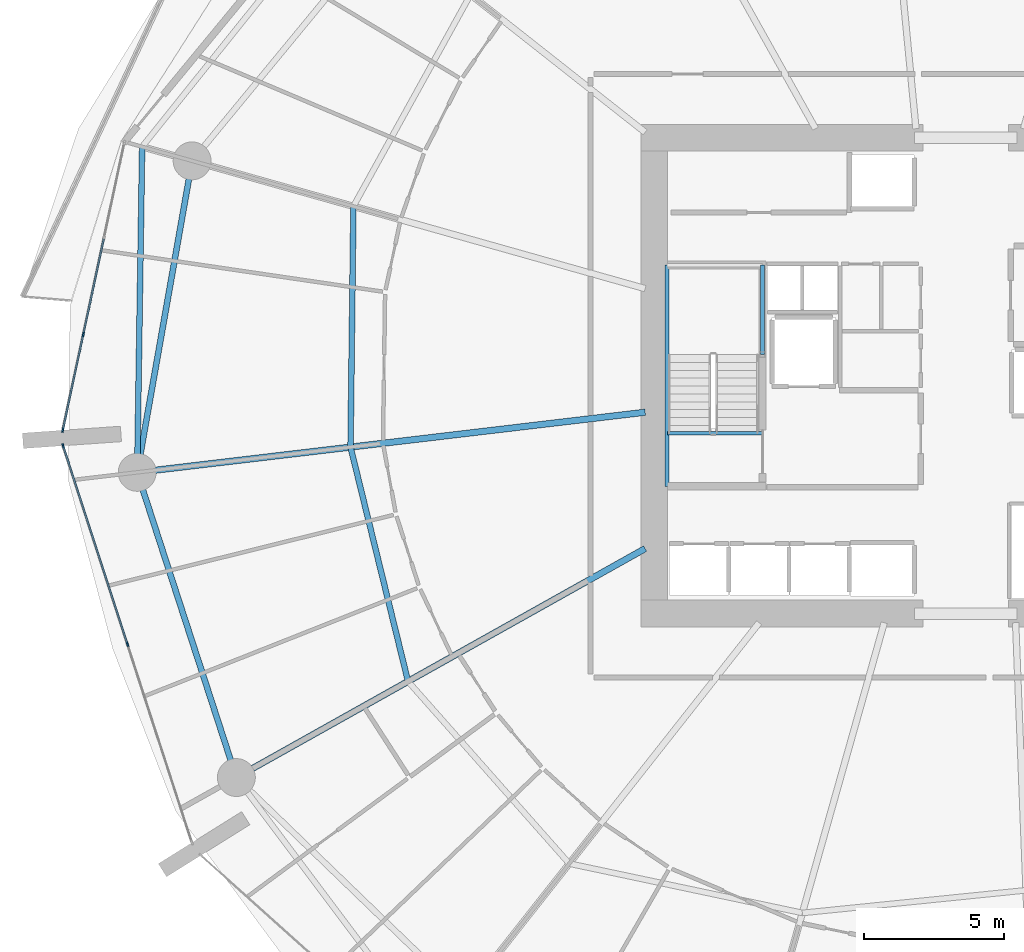
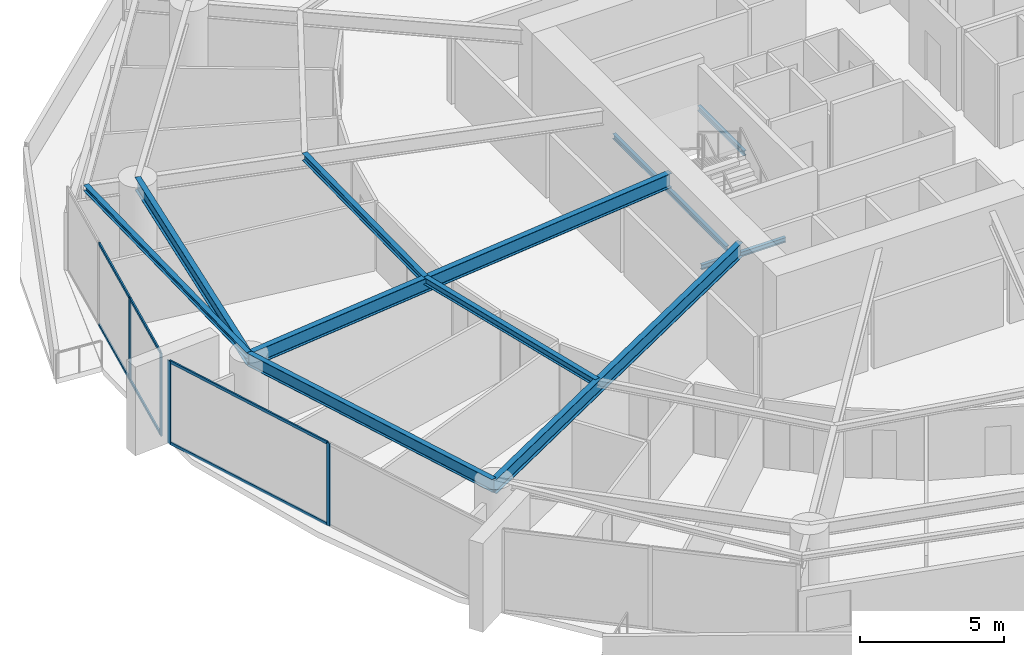
# One storey, part 8 of 31: 10 beams, 10 members, 2 elements without a shape of their own.
"""IFC4 building model written with IfcOpenShell, lengths in metres."""

from ifc_helpers import new_model, si_unit, direction, frame, origin, origin_2d, place, context, subcontext, project, spatial, rectangle, i_section, extrude, material, layer, layer_set, material_profile, profile_set, type_object, element, aggregate, save


model = new_model("IFC4")

# Units and contexts
model_context = context("Model", 3, precision=1e-05, world=origin(), true_north=direction((0.0, 1.0)))
body_context = subcontext(model_context, "Body", "Model", "MODEL_VIEW")
ifc_project = project(units=[si_unit("LENGTHUNIT", "METRE"), si_unit("AREAUNIT", "SQUARE_METRE"), si_unit("VOLUMEUNIT", "CUBIC_METRE"), si_unit("PLANEANGLEUNIT", "RADIAN"), si_unit("MASSUNIT", "GRAM", prefix="KILO")], contexts=[model_context])

# Site, building, storey
site_placement = place(None, origin())
site = spatial("IfcSite", under=ifc_project, at=site_placement, CompositionType="ELEMENT")
building_placement = place(site_placement, origin())
building = spatial("IfcBuilding", under=site, at=building_placement, Name="Kazma Halo Residences", CompositionType="ELEMENT")
storey_placement = place(building_placement, frame((0.0, 0.0, 30.14990234375)))
storey = spatial("IfcBuildingStorey", under=building, at=storey_placement, Name="L06", CompositionType="ELEMENT", Elevation=30.14990234375)

# Beams
ifc_material_1 = material(Name="Steel S355", Category="steel")
ifc_material_profile_1 = material_profile(ifc_material_1, i_section(OverallWidth=0.201904296875, OverallDepth=0.2470703125, WebThickness=0.00732421875, FlangeThickness=0.010986328125, FilletRadius=0.011962890625, at=origin_2d()), Name="W250x49.1")
ifc_profile_set_1 = profile_set([ifc_material_profile_1], Name="Steel S355")
beam_type_1 = type_object("IfcBeamType", Name="BM-BAL-CANT", PredefinedType="BEAM", material=ifc_profile_set_1)
beam_1_placement = place(storey_placement, frame((19.07861328125, 50.15673828125, 3.376708984375), z_axis=(-0.015213846033, -0.999884262747, 0.0), x_axis=(0.999884262747, -0.015213846033, 0.0)))
element("IfcBeam", 1, at=beam_1_placement, inside=storey, type_object=beam_type_1, Name="L06 wave-balcony tie beam 07", PredefinedType="BEAM", context=body_context, shape_type="SweptSolid", body=[
    extrude(i_section(OverallWidth=0.201904296875, OverallDepth=0.2470703125, WebThickness=0.00732421875, FlangeThickness=0.010986328125, FilletRadius=0.011962890625, at=origin_2d()), origin(), (0.0, 0.0, 1.0), 11.602294921875),
])
ifc_material_profile_2 = material_profile(ifc_material_1, i_section(OverallWidth=0.22802734375, OverallDepth=0.60791015625, WebThickness=0.01123046875, FlangeThickness=0.017333984375, FilletRadius=0.01806640625, at=origin_2d()), Name="W610x113")
ifc_profile_set_2 = profile_set([ifc_material_profile_2], Name="Steel S355")
beam_type_2 = type_object("IfcBeamType", Name="BM-RAD-W610", PredefinedType="BEAM", material=ifc_profile_set_2)
beam_2_placement = place(storey_placement, frame((37.0, 40.697998046875, 3.196044921875), z_axis=(-0.993068058728, -0.117540762013, 0.0), x_axis=(0.117540762013, -0.993068058728, 0.0)))
element("IfcBeam", 2, at=beam_2_placement, inside=storey, type_object=beam_type_2, Name="L06 radial floor beam 08", PredefinedType="BEAM", context=body_context, shape_type="SweptSolid", body=[
    extrude(i_section(OverallWidth=0.22802734375, OverallDepth=0.60791015625, WebThickness=0.01123046875, FlangeThickness=0.017333984375, FilletRadius=0.01806640625, at=origin_2d()), origin(), (0.0, 0.0, 1.0), 18.22412109375),
])
beam_3_placement = place(storey_placement, frame((37.0, 35.839599609375, 3.196044921875), z_axis=(-0.872496538947, -0.488620291767, 0.0), x_axis=(0.488620291767, -0.872496538947, 0.0)))
element("IfcBeam", 3, at=beam_3_placement, inside=storey, type_object=beam_type_2, Name="L06 radial floor beam 09", PredefinedType="BEAM", context=body_context, shape_type="SweptSolid", body=[
    extrude(i_section(OverallWidth=0.22802734375, OverallDepth=0.60791015625, WebThickness=0.01123046875, FlangeThickness=0.017333984375, FilletRadius=0.01806640625, at=origin_2d()), origin(), (0.0, 0.0, 1.0), 16.693359375),
])
ifc_material_profile_3 = material_profile(ifc_material_1, i_section(OverallWidth=0.202880859375, OverallDepth=0.302978515625, WebThickness=0.007568359375, FlangeThickness=0.01318359375, FilletRadius=0.013916015625, at=origin_2d()), Name="W310x60")
ifc_profile_set_3 = profile_set([ifc_material_profile_3], Name="Steel S355")
beam_type_3 = type_object("IfcBeamType", Name="BM-SEC-W310A", PredefinedType="JOIST", material=ifc_profile_set_3)
beam_4_placement = place(storey_placement, frame((26.605712890625, 48.033935546875, 3.3486328125), z_axis=(-0.011952697998, -0.999928563954, 0.0), x_axis=(0.999928563954, -0.011952697998, 0.0)))
element("IfcBeam", 4, at=beam_4_placement, inside=storey, type_object=beam_type_3, Name="L06 circumferential floor joist 07", PredefinedType="JOIST", context=body_context, shape_type="SweptSolid", body=[
    extrude(i_section(OverallWidth=0.202880859375, OverallDepth=0.302978515625, WebThickness=0.007568359375, FlangeThickness=0.01318359375, FilletRadius=0.013916015625, at=origin_2d()), origin(), (0.0, 0.0, 1.0), 8.578857421875),
])
beam_5_placement = place(storey_placement, frame((26.503173828125, 39.455810546875, 3.3486328125), z_axis=(0.238409585139, -0.971164697523, 0.0), x_axis=(0.971164697523, 0.238409585139, 0.0)))
element("IfcBeam", 5, at=beam_5_placement, inside=storey, type_object=beam_type_3, Name="L06 circumferential floor joist 08", PredefinedType="JOIST", context=body_context, shape_type="SweptSolid", body=[
    extrude(i_section(OverallWidth=0.202880859375, OverallDepth=0.302978515625, WebThickness=0.007568359375, FlangeThickness=0.01318359375, FilletRadius=0.013916015625, at=origin_2d()), origin(), (0.0, 0.0, 1.0), 8.5947265625),
])
ifc_material_profile_4 = material_profile(ifc_material_1, i_section(OverallWidth=0.208984375, OverallDepth=0.532958984375, WebThickness=0.01025390625, FlangeThickness=0.015625, FilletRadius=0.01611328125, at=origin_2d()), Name="W530x92")
ifc_profile_set_4 = profile_set([ifc_material_profile_4], Name="Steel S355")
beam_type_4 = type_object("IfcBeamType", Name="BM-SPN-W530", PredefinedType="BEAM", material=ifc_profile_set_4)
beam_6_placement = place(storey_placement, frame((20.859130859375, 49.654541015625, 3.233642578125), z_axis=(-0.173651864005, -0.984807103004, 0.0), x_axis=(0.984807103004, -0.173651864005, 0.0)))
element("IfcBeam", 6, at=beam_6_placement, inside=storey, type_object=beam_type_4, Name="L06 perimeter ring beam 07", PredefinedType="BEAM", context=body_context, shape_type="SweptSolid", body=[
    extrude(i_section(OverallWidth=0.208984375, OverallDepth=0.532958984375, WebThickness=0.01025390625, FlangeThickness=0.015625, FilletRadius=0.01611328125, at=origin_2d()), origin(), (0.0, 0.0, 1.0), 11.269775390625),
])
beam_7_placement = place(storey_placement, frame((18.902099609375, 38.555908203125, 3.233642578125), z_axis=(0.309024264898, -0.951054153928, 0.0), x_axis=(0.951054153928, 0.309024264898, 0.0)))
element("IfcBeam", 7, at=beam_7_placement, inside=storey, type_object=beam_type_4, Name="L06 perimeter ring beam 08", PredefinedType="BEAM", context=body_context, shape_type="SweptSolid", body=[
    extrude(i_section(OverallWidth=0.208984375, OverallDepth=0.532958984375, WebThickness=0.01025390625, FlangeThickness=0.015625, FilletRadius=0.01611328125, at=origin_2d()), origin(), (0.0, 0.0, 1.0), 11.4326171875),
])
ifc_material_profile_5 = material_profile(ifc_material_1, i_section(OverallWidth=0.133056640625, OverallDepth=0.20703125, WebThickness=0.005859375, FlangeThickness=0.00830078125, FilletRadius=0.010009765625, at=origin_2d()), Name="W200x26.6")
ifc_profile_set_5 = profile_set([ifc_material_profile_5], Name="Steel S355")
beam_type_5 = type_object("IfcBeamType", Name="BM-TRIM-W200", PredefinedType="BEAM", material=ifc_profile_set_5)
beam_8_placement = place(storey_placement, frame((37.800048828125, 39.949951171875, -0.35986328125), z_axis=(1.0, 0.0, 0.0), x_axis=(0.0, 1.0, 0.0)))
element("IfcBeam", 8, at=beam_8_placement, inside=storey, type_object=beam_type_5, Name="L06 ST-01 floor landing support beam", PredefinedType="BEAM", context=body_context, shape_type="SweptSolid", body=[
    extrude(i_section(OverallWidth=0.133056640625, OverallDepth=0.20703125, WebThickness=0.005859375, FlangeThickness=0.00830078125, FilletRadius=0.010009765625, at=origin_2d()), origin(), (0.0, 0.0, 1.0), 3.3798828125),
])
beam_9_placement = place(storey_placement, frame((37.780029296875, 38.06005859375, 1.570068359375), z_axis=(0.0, 1.0, 0.0), x_axis=(-1.0, 0.0, 0.0)))
element("IfcBeam", 9, at=beam_9_placement, inside=storey, type_object=beam_type_5, Name="L06 ST-01 landing west wall ledger", PredefinedType="BEAM", context=body_context, shape_type="SweptSolid", body=[
    extrude(i_section(OverallWidth=0.133056640625, OverallDepth=0.20703125, WebThickness=0.005859375, FlangeThickness=0.00830078125, FilletRadius=0.010009765625, at=origin_2d()), origin(), (0.0, 0.0, 1.0), 7.8798828125),
])
beam_10_placement = place(storey_placement, frame((41.179931640625, 42.75, 1.570068359375), z_axis=(0.0, 1.0, 0.0), x_axis=(-1.0, 0.0, 0.0)))
element("IfcBeam", 10, at=beam_10_placement, inside=storey, type_object=beam_type_5, Name="L06 ST-01 landing east wall ledger", PredefinedType="BEAM", context=body_context, shape_type="SweptSolid", body=[
    extrude(i_section(OverallWidth=0.133056640625, OverallDepth=0.20703125, WebThickness=0.005859375, FlangeThickness=0.00830078125, FilletRadius=0.010009765625, at=origin_2d()), origin(), (0.0, 0.0, 1.0), 3.18994140625),
])

# Curtain wall, members
ifc_material_2 = material(Name="Aluminium AW-6063 T6 and Triple-Silver Low-E Glass", Category="aluminium")
ifc_layer = layer(ifc_material_2, 0.159912109375)
ifc_layer_set = layer_set([ifc_layer], Name="Aluminium AW-6063 T6 and Triple-Silver Low-E Glass")
curtain_wall_type = type_object("IfcCurtainWallType", Name="CW-SYS-2", PredefinedType="NOTDEFINED", material=ifc_layer_set)
curtain_wall_1_placement = place(storey_placement, origin())
curtain_wall_1 = element("IfcCurtainWall", 11, at=curtain_wall_1_placement, inside=storey, type_object=curtain_wall_type, Name="L06 unitised curtain wall B07", PredefinedType="NOTDEFINED")
ifc_material_3 = material(Name="Aluminium AW-6063 T6", Category="aluminium")
ifc_material_profile_6 = material_profile(ifc_material_3, rectangle(XDim=0.06005859375, YDim=0.159912109375, at=origin_2d()), Name="CWM-60x160")
ifc_profile_set_6 = profile_set([ifc_material_profile_6], Name="Aluminium AW-6063 T6")
member_type_1 = type_object("IfcMemberType", Name="CW-SYS-2-MUL", PredefinedType="MULLION", material=ifc_profile_set_6)
member_1_placement = place(storey_placement, frame((16.980712890625, 43.46435546875, 0.0), z_axis=(0.0, 0.0, 1.0), x_axis=(0.977779215096, -0.209637321406, 0.0)))
member_1 = element("IfcMember", 12, at=member_1_placement, type_object=member_type_1, Name="CWS-2 mullion 3", PredefinedType="MULLION", context=body_context, shape_type="SweptSolid", body=[
    extrude(rectangle(XDim=0.06005859375, YDim=0.159912109375, at=origin_2d()), origin(), (0.0, 0.0, 1.0), 3.5),
])
member_2_placement = place(storey_placement, frame((16.25048828125, 40.059326171875, 0.0), z_axis=(0.0, 0.0, 1.0), x_axis=(0.977779215096, -0.209637321406, 0.0)))
member_2 = element("IfcMember", 13, at=member_2_placement, type_object=member_type_1, Name="CWS-2 mullion 4", PredefinedType="MULLION", context=body_context, shape_type="SweptSolid", body=[
    extrude(rectangle(XDim=0.06005859375, YDim=0.159912109375, at=origin_2d()), origin(), (0.0, 0.0, 1.0), 3.5),
])

curtain_wall_2_placement = place(storey_placement, origin())
curtain_wall_2 = element("IfcCurtainWall", 14, at=curtain_wall_2_placement, inside=storey, type_object=curtain_wall_type, Name="L06 unitised curtain wall B08", PredefinedType="NOTDEFINED")
member_3_placement = place(storey_placement, frame((16.26171875, 39.500732421875, 0.0), z_axis=(0.0, 0.0, 1.0), x_axis=(0.95105652404, 0.309016970539, 0.0)))
member_3 = element("IfcMember", 15, at=member_3_placement, type_object=member_type_1, Name="CWS-2 mullion 1", PredefinedType="MULLION", context=body_context, shape_type="SweptSolid", body=[
    extrude(rectangle(XDim=0.06005859375, YDim=0.159912109375, at=origin_2d()), origin(), (0.0, 0.0, 1.0), 3.5),
])
member_4_placement = place(storey_placement, frame((18.55810546875, 32.43359375, 0.0), z_axis=(0.0, 0.0, 1.0), x_axis=(0.95105652404, 0.309016970539, 0.0)))
member_4 = element("IfcMember", 16, at=member_4_placement, type_object=member_type_1, Name="CWS-2 mullion 2", PredefinedType="MULLION", context=body_context, shape_type="SweptSolid", body=[
    extrude(rectangle(XDim=0.06005859375, YDim=0.159912109375, at=origin_2d()), origin(), (0.0, 0.0, 1.0), 3.5),
])

# Member
ifc_material_profile_7 = material_profile(ifc_material_3, rectangle(XDim=0.06005859375, YDim=0.1201171875, at=origin_2d()), Name="CWT-60x120")
ifc_profile_set_7 = profile_set([ifc_material_profile_7], Name="Aluminium AW-6063 T6")
member_type_2 = type_object("IfcMemberType", Name="CW-SYS-2-TRN", PredefinedType="USERDEFINED", material=ifc_profile_set_7)
member_5_placement = place(storey_placement, frame((17.710693359375, 46.869384765625, 0.030029296875), z_axis=(-0.209669136217, -0.977772393412, 0.0), x_axis=(0.977772393412, -0.209669136217, 0.0)))
member_5 = element("IfcMember", 17, at=member_5_placement, type_object=member_type_2, Name="CWS-2 transom 2.1", ObjectType="TRANSOM", PredefinedType="USERDEFINED", context=body_context, shape_type="SweptSolid", body=[
    extrude(rectangle(XDim=0.06005859375, YDim=0.1201171875, at=origin_2d()), origin(), (0.0, 0.0, 1.0), 3.452392578125),
])

member_6_placement = place(storey_placement, frame((17.710693359375, 46.869384765625, 3.47021484375), z_axis=(-0.209669136217, -0.977772393412, 0.0), x_axis=(0.977772393412, -0.209669136217, 0.0)))
member_6 = element("IfcMember", 18, at=member_6_placement, type_object=member_type_2, Name="CWS-2 transom 2.2", ObjectType="TRANSOM", PredefinedType="USERDEFINED", context=body_context, shape_type="SweptSolid", body=[
    extrude(rectangle(XDim=0.06005859375, YDim=0.1201171875, at=origin_2d()), origin(), (0.0, 0.0, 1.0), 3.452392578125),
])

member_7_placement = place(storey_placement, frame((16.974365234375, 43.434814453125, 0.030029296875), z_axis=(-0.209665500897, -0.977773172946, 0.0), x_axis=(0.977773172946, -0.209665500897, 0.0)))
member_7 = element("IfcMember", 19, at=member_7_placement, type_object=member_type_2, Name="CWS-2 transom 3.1", ObjectType="TRANSOM", PredefinedType="USERDEFINED", context=body_context, shape_type="SweptSolid", body=[
    extrude(rectangle(XDim=0.06005859375, YDim=0.1201171875, at=origin_2d()), origin(), (0.0, 0.0, 1.0), 3.42236328125),
])

member_8_placement = place(storey_placement, frame((16.974365234375, 43.434814453125, 3.47021484375), z_axis=(-0.209665500897, -0.977773172946, 0.0), x_axis=(0.977773172946, -0.209665500897, 0.0)))
member_8 = element("IfcMember", 20, at=member_8_placement, type_object=member_type_2, Name="CWS-2 transom 3.2", ObjectType="TRANSOM", PredefinedType="USERDEFINED", context=body_context, shape_type="SweptSolid", body=[
    extrude(rectangle(XDim=0.06005859375, YDim=0.1201171875, at=origin_2d()), origin(), (0.0, 0.0, 1.0), 3.42236328125),
])

aggregate(curtain_wall_1, [member_1, member_2, member_5, member_6, member_7, member_8])

member_9_placement = place(storey_placement, frame((16.27099609375, 39.47216796875, 0.030029296875), z_axis=(0.309034393795, -0.951050862705, 0.0), x_axis=(0.951050862705, 0.309034393795, 0.0)))
member_9 = element("IfcMember", 21, at=member_9_placement, type_object=member_type_2, Name="CWS-2 transom 1.1", ObjectType="TRANSOM", PredefinedType="USERDEFINED", context=body_context, shape_type="SweptSolid", body=[
    extrude(rectangle(XDim=0.06005859375, YDim=0.1201171875, at=origin_2d()), origin(), (0.0, 0.0, 1.0), 7.370849609375),
])

member_10_placement = place(storey_placement, frame((16.27099609375, 39.47216796875, 3.47021484375), z_axis=(0.309034393795, -0.951050862705, 0.0), x_axis=(0.951050862705, 0.309034393795, 0.0)))
member_10 = element("IfcMember", 22, at=member_10_placement, type_object=member_type_2, Name="CWS-2 transom 1.2", ObjectType="TRANSOM", PredefinedType="USERDEFINED", context=body_context, shape_type="SweptSolid", body=[
    extrude(rectangle(XDim=0.06005859375, YDim=0.1201171875, at=origin_2d()), origin(), (0.0, 0.0, 1.0), 7.370849609375),
])

aggregate(curtain_wall_2, [member_3, member_4, member_9, member_10])

save(model, "model.ifc")
